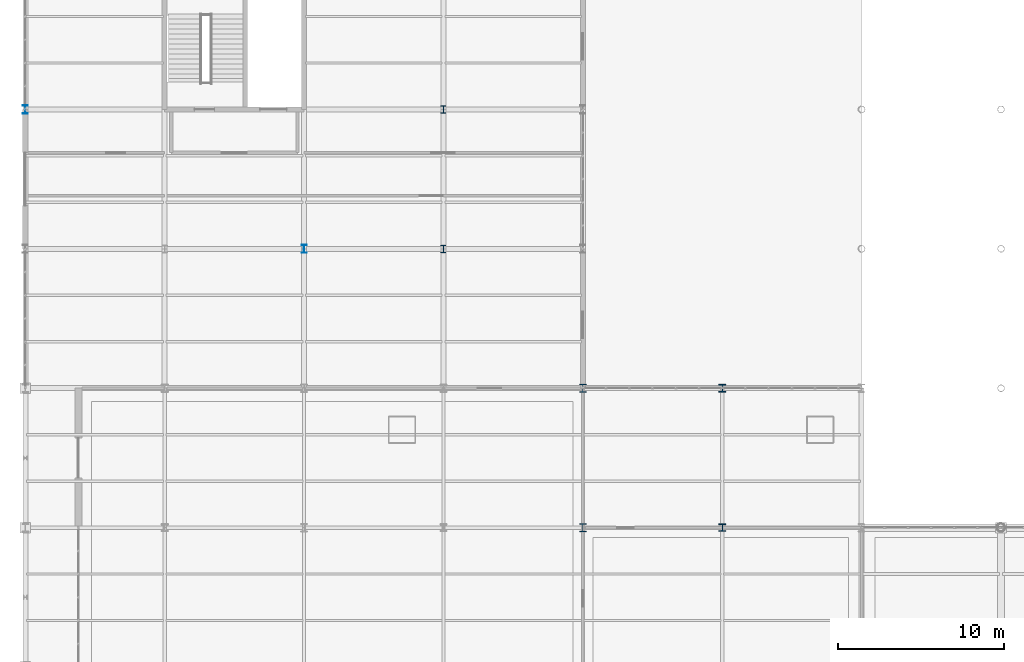
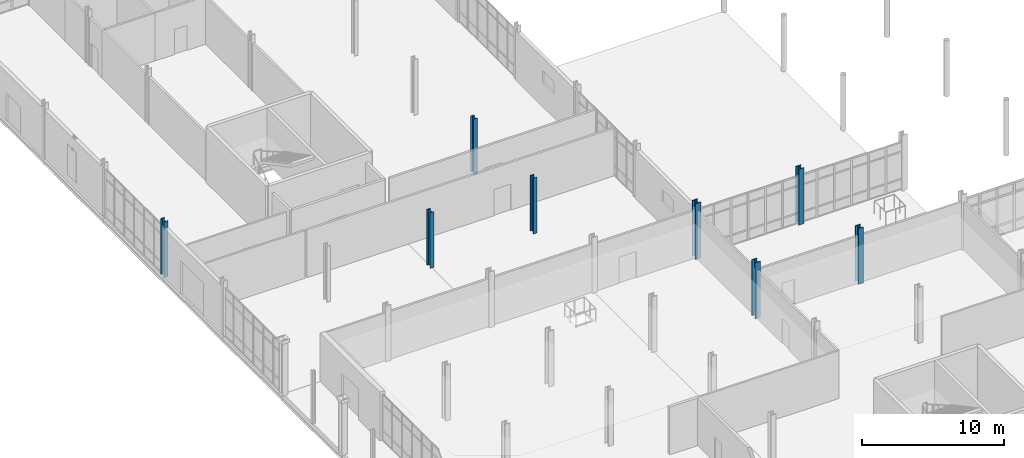
# One storey, part 5 of 145: 8 columns.
"""IFC4 building model written with IfcOpenShell, lengths in metres."""

import ifcopenshell
import ifcopenshell.guid

model = None  # the IFC model being written
_history = None  # IfcOwnerHistory: only IFC2X3 demands one
_inside = {}  # id of a spatial element -> (the spatial element, [elements in it])
_under = {}  # id of a project, library or spatial element -> (it, [spatial elements below it])
_declared = {}  # id of a project -> (the project, [libraries it declares])
_typed = {}  # id of a type object -> (the type object, [elements of that type])
_made_of = {}  # id of a material, layer set ... -> (it, [elements and type objects made of it])


def new_model(schema):
    """Start an empty IFC model of exactly this schema.

    Asked for "IFC4X3", IfcOpenShell would pick the latest addendum, in which some entities
    have other attributes; the version numbers below select the first issue.
    IFC2X3 requires an IfcOwnerHistory on every rooted entity: one is made here for all.
    """
    global model, _history
    if schema == "IFC4X3":
        model = ifcopenshell.file(schema_version=(4, 3, 0, 0))
    else:
        model = ifcopenshell.file(schema=schema)
    _inside.clear()
    _under.clear()
    _declared.clear()
    _typed.clear()
    _made_of.clear()
    _history = None
    if model.schema == "IFC2X3":
        org = make("IfcOrganization", Name="unknown")
        user = make(
            "IfcPersonAndOrganization",
            ThePerson=make("IfcPerson", FamilyName="unknown"),
            TheOrganization=org,
        )
        app = make(
            "IfcApplication",
            ApplicationDeveloper=org,
            Version="unknown",
            ApplicationFullName="unknown",
            ApplicationIdentifier="unknown",
        )
        _history = make(
            "IfcOwnerHistory",
            OwningUser=user,
            OwningApplication=app,
            ChangeAction="ADDED",
            CreationDate=0,
        )
    return model


def make(cls, **values):
    """One entity of the class cls with the attributes given. An attribute that is None is left unset."""
    return model.create_entity(
        cls, **{name: value for name, value in values.items() if value is not None}
    )


def rooted(cls, **values):
    """An entity with a GlobalId (a new one), such as an element, a storey or a relation."""
    return make(cls, GlobalId=ifcopenshell.guid.new(), OwnerHistory=_history, **values)


def si_unit(unit_type, name, prefix=None):
    """IfcSIUnit, for example si_unit("LENGTHUNIT", "METRE", prefix="MILLI")."""
    return make("IfcSIUnit", UnitType=unit_type, Prefix=prefix, Name=name)


def assignment(units):
    """IfcUnitAssignment: the units of a project."""
    return None if units is None else make("IfcUnitAssignment", Units=units)


def point(xyz):
    """IfcCartesianPoint."""
    return None if xyz is None else make("IfcCartesianPoint", Coordinates=xyz)


def direction(xyz):
    """IfcDirection."""
    return None if xyz is None else make("IfcDirection", DirectionRatios=xyz)


def frame(location, z_axis=None, x_axis=None):
    """IfcAxis2Placement3D, a coordinate frame: its origin and axes. An axis left out is left unset."""
    return make(
        "IfcAxis2Placement3D",
        Location=point(location),
        Axis=direction(z_axis),
        RefDirection=direction(x_axis),
    )


def frame_2d(location, x_axis=None):
    """IfcAxis2Placement2D, a coordinate frame in the plane: its origin and x axis."""
    return make(
        "IfcAxis2Placement2D", Location=point(location), RefDirection=direction(x_axis)
    )


def origin():
    """The frame at (0, 0, 0) with its axes left unset."""
    return frame((0.0, 0.0, 0.0))


def origin_2d():
    """The frame at (0, 0) in the plane with its x axis left unset."""
    return frame_2d((0.0, 0.0))


def place(relative_to, where):
    """IfcLocalPlacement: puts the frame where relative to a parent placement (None: the world)."""
    return make(
        "IfcLocalPlacement", PlacementRelTo=relative_to, RelativePlacement=where
    )


def context(
    kind, dimensions, precision=None, world=None, true_north=None, identifier=None
):
    """IfcGeometricRepresentationContext, for example the 3D "Model" context."""
    return make(
        "IfcGeometricRepresentationContext",
        ContextIdentifier=identifier,
        ContextType=kind,
        CoordinateSpaceDimension=dimensions,
        Precision=precision,
        WorldCoordinateSystem=world,
        TrueNorth=true_north,
    )


def subcontext(parent, identifier, kind, view, scale=None):
    """IfcGeometricRepresentationSubContext, for example "Body" below "Model"."""
    return make(
        "IfcGeometricRepresentationSubContext",
        ContextIdentifier=identifier,
        ContextType=kind,
        ParentContext=parent,
        TargetScale=scale,
        TargetView=view,
    )


def project(units=None, contexts=None):
    """IfcProject with its units and contexts."""
    return rooted(
        "IfcProject",
        Name="project",
        RepresentationContexts=contexts,
        UnitsInContext=assignment(units),
    )


def spatial(cls, under=None, at=None, **own):
    """A site, building, storey or space (cls), placed at a placement, below another one or the project."""
    s = rooted(cls, ObjectPlacement=at, **own)
    if under is not None:
        _under.setdefault(under.id(), (under, []))[1].append(s)
    return s


def profile(cls, at=None, kind="AREA", **sizes):
    """A parametric profile (cls). Its sizes go by their IFC names, for example OverallWidth=200.0."""
    return make(cls, ProfileType=kind, Position=at, **sizes)


def i_section(**sizes):
    """IfcIShapeProfileDef."""
    return profile("IfcIShapeProfileDef", **sizes)


def extrude(swept, where, along, depth):
    """IfcExtrudedAreaSolid: the profile swept, set in the frame where, extruded along a direction by depth."""
    return make(
        "IfcExtrudedAreaSolid",
        SweptArea=swept,
        Position=where,
        ExtrudedDirection=direction(along),
        Depth=depth,
    )


def shape(context_of_items, identifier, shape_type, items):
    """IfcShapeRepresentation: the items that make up one representation, for example the "Body"."""
    return make(
        "IfcShapeRepresentation",
        ContextOfItems=context_of_items,
        RepresentationIdentifier=identifier,
        RepresentationType=shape_type,
        Items=items,
    )


def material(Name=None, Category=None):
    """IfcMaterial."""
    return make("IfcMaterial", Name=Name, Category=Category)


def material_profile(
    of_material, cross_section, Name=None, Category=None, Priority=None
):
    """IfcMaterialProfile: a cross section and its material."""
    return make(
        "IfcMaterialProfile",
        Name=Name,
        Material=of_material,
        Profile=cross_section,
        Priority=Priority,
        Category=Category,
    )


def profile_set(profiles, Name=None, composite=None):
    """IfcMaterialProfileSet."""
    return make(
        "IfcMaterialProfileSet",
        Name=Name,
        MaterialProfiles=profiles,
        CompositeProfile=composite,
    )


def made_of(thing, what):
    """Note that an element or type object is made of a material, layer set ...; save() writes the relation."""
    if what is not None:
        _made_of.setdefault(what.id(), (what, []))[1].append(thing)
    return thing


def type_object(cls, material=None, **own):
    """A type object (cls), such as IfcWallType, which elements share."""
    return made_of(rooted(cls, **own), material)


def element(
    cls,
    number,
    at=None,
    inside=None,
    cuts=None,
    type_object=None,
    material=None,
    context=None,
    identifier="Body",
    shape_type=None,
    held_by="IfcProductDefinitionShape",
    body=None,
    shapes=None,
    **own,
):
    """One element of the class cls, such as IfcWall. Its Tag is "e" and its number.

    at: its placement. inside: the storey or other place that contains it. cuts: it is an
    opening in that element (IfcRelVoidsElement). A single representation is given by context,
    identifier, shape_type and body (its items); several are given by shapes. held_by: the class
    of the entity that holds the representations. save() writes the other relations.
    """
    e = rooted(cls, Tag="e%d" % number, ObjectPlacement=at, **own)
    if body is not None:
        shapes = [shape(context, identifier, shape_type, body)]
    if shapes is not None:
        e.Representation = make(held_by, Representations=shapes)
    if inside is not None:
        _inside.setdefault(inside.id(), (inside, []))[1].append(e)
    if cuts is not None:
        rooted(
            "IfcRelVoidsElement", RelatingBuildingElement=cuts, RelatedOpeningElement=e
        )
    if type_object is not None:
        _typed.setdefault(type_object.id(), (type_object, []))[1].append(e)
    return made_of(e, material)


def aggregate(whole, parts):
    """IfcRelAggregates: a whole, such as a stair, and the parts it consists of."""
    return rooted("IfcRelAggregates", RelatingObject=whole, RelatedObjects=parts)


def save(model, path):
    """Write the relations noted so far, then the file.

    IfcRelAggregates (storeys below a building ...), IfcRelContainedInSpatialStructure (elements
    in a storey), IfcRelDefinesByType, IfcRelAssociatesMaterial and IfcRelDeclares: one each for
    every whole, place, type object, material and project.
    """
    for whole, parts in _under.values():
        aggregate(whole, parts)
    for where, things in _inside.values():
        rooted(
            "IfcRelContainedInSpatialStructure",
            RelatedElements=things,
            RelatingStructure=where,
        )
    for kind, things in _typed.values():
        rooted("IfcRelDefinesByType", RelatedObjects=things, RelatingType=kind)
    for what, things in _made_of.values():
        rooted("IfcRelAssociatesMaterial", RelatedObjects=things, RelatingMaterial=what)
    for by, libraries in _declared.values():
        rooted("IfcRelDeclares", RelatingContext=by, RelatedDefinitions=libraries)
    model.write(path)


model = new_model("IFC4")

# Units and contexts
model_context = context("Model", 3, precision=1e-05, world=origin(), true_north=direction((0.0, 1.0)))
body_context = subcontext(model_context, "Body", "Model", "MODEL_VIEW")
ifc_project = project(units=[si_unit("LENGTHUNIT", "METRE"), si_unit("AREAUNIT", "SQUARE_METRE"), si_unit("VOLUMEUNIT", "CUBIC_METRE"), si_unit("PLANEANGLEUNIT", "RADIAN"), si_unit("MASSUNIT", "GRAM", prefix="KILO")], contexts=[model_context])

# Site, building, storey
site_placement = place(None, origin())
site = spatial("IfcSite", under=ifc_project, at=site_placement, CompositionType="ELEMENT")
building_placement = place(site_placement, origin())
building = spatial("IfcBuilding", under=site, at=building_placement, Name="Qalvenar Corner Mobility Hub", CompositionType="ELEMENT")
storey_placement = place(building_placement, origin())
storey = spatial("IfcBuildingStorey", under=building, at=storey_placement, Name="L00", CompositionType="ELEMENT", Elevation=0.0)

# Columns
ifc_material = material(Name="Steel S355", Category="steel")
ifc_material_profile_1 = material_profile(ifc_material, i_section(OverallWidth=0.412109375, OverallDepth=0.455078125, WebThickness=0.030517578125, FlangeThickness=0.049072265625, FilletRadius=0.014892578125, at=origin_2d()), Name="HD400x421")
ifc_profile_set_1 = profile_set([ifc_material_profile_1], Name="Steel S355")
column_type_1 = type_object("IfcColumnType", Name="COL-HD400X382", PredefinedType="COLUMN", material=ifc_profile_set_1)
for number, where, z_axis, x_axis, name in (
    (1, (42.0, 33.60009765625, 0.0), (0.0, 0.0, 1.0), (1.0, 0.0, 0.0), "Steel Column L00-G6-4"),
    (2, (42.0, 42.0, 0.0), (0.0, 0.0, 1.0), (1.0, 0.0, 0.0), "Steel Column L00-G6-5"),
):
    element("IfcColumn", number, at=place(storey_placement, frame(where, z_axis=z_axis, x_axis=x_axis)), inside=storey, type_object=column_type_1, Name=name, PredefinedType="COLUMN", context=body_context, shape_type="SweptSolid", body=[
        extrude(i_section(OverallWidth=0.412109375, OverallDepth=0.455078125, WebThickness=0.030517578125, FlangeThickness=0.049072265625, FilletRadius=0.014892578125, at=origin_2d()), origin(), (0.0, 0.0, 1.0), 4.800048828125),
    ])
ifc_material_profile_2 = material_profile(ifc_material, i_section(OverallWidth=0.419921875, OverallDepth=0.5048828125, WebThickness=0.03662109375, FlangeThickness=0.05908203125, FilletRadius=0.014892578125, at=origin_2d()), Name="HD400x551")
ifc_profile_set_2 = profile_set([ifc_material_profile_2], Name="Steel S355")
column_type_2 = type_object("IfcColumnType", Name="COL-HD400X463", PredefinedType="COLUMN", material=ifc_profile_set_2)
for number, where, z_axis, x_axis, name in (
    (3, (33.60009765625, 33.60009765625, 0.0), (0.0, 0.0, 1.0), (1.0, 0.0, 0.0), "Steel Column L00-G5-4"),
    (4, (33.60009765625, 42.0, 0.0), (0.0, 0.0, 1.0), (1.0, 0.0, 0.0), "Steel Column L00-G5-5"),
):
    element("IfcColumn", number, at=place(storey_placement, frame(where, z_axis=z_axis, x_axis=x_axis)), inside=storey, type_object=column_type_2, Name=name, PredefinedType="COLUMN", context=body_context, shape_type="SweptSolid", body=[
        extrude(i_section(OverallWidth=0.419921875, OverallDepth=0.5048828125, WebThickness=0.03662109375, FlangeThickness=0.05908203125, FilletRadius=0.014892578125, at=origin_2d()), origin(), (0.0, 0.0, 1.0), 4.800048828125),
    ])
ifc_material_profile_3 = material_profile(ifc_material, i_section(OverallWidth=0.300048828125, OverallDepth=0.449951171875, WebThickness=0.013916015625, FlangeThickness=0.02587890625, FilletRadius=0.027099609375, at=origin_2d()), Name="HEB450")
ifc_profile_set_3 = profile_set([ifc_material_profile_3], Name="Steel S355")
column_type_3 = type_object("IfcColumnType", Name="COL-HEB450", PredefinedType="COLUMN", material=ifc_profile_set_3)
for number, where, z_axis, x_axis, name in (
    (5, (25.199951171875, 50.39990234375, 0.0), (0.0, 0.0, 1.0), (1.0, 0.0, 0.0), "Steel Column L00-G4-6"),
    (6, (25.199951171875, 58.800048828125, 0.0), (0.0, 0.0, 1.0), (1.0, 0.0, 0.0), "Steel Column L00-G4-7"),
):
    element("IfcColumn", number, at=place(storey_placement, frame(where, z_axis=z_axis, x_axis=x_axis)), inside=storey, type_object=column_type_3, Name=name, PredefinedType="COLUMN", context=body_context, shape_type="SweptSolid", body=[
        extrude(i_section(OverallWidth=0.300048828125, OverallDepth=0.449951171875, WebThickness=0.013916015625, FlangeThickness=0.02587890625, FilletRadius=0.027099609375, at=origin_2d()), origin(), (0.0, 0.0, 1.0), 4.800048828125),
    ])
ifc_material_profile_4 = material_profile(ifc_material, i_section(OverallWidth=0.300048828125, OverallDepth=0.5, WebThickness=0.014404296875, FlangeThickness=0.028076171875, FilletRadius=0.027099609375, at=origin_2d()), Name="HEB500")
ifc_profile_set_4 = profile_set([ifc_material_profile_4], Name="Steel S355")
column_type_4 = type_object("IfcColumnType", Name="COL-HEB500", PredefinedType="COLUMN", material=ifc_profile_set_4)
for number, where, z_axis, x_axis, name in (
    (7, (0.0, 58.800048828125, 0.0), (0.0, 0.0, 1.0), (1.0, 0.0, 0.0), "Steel Column L00-G1-7"),
    (8, (16.800048828125, 50.39990234375, 0.0), (0.0, 0.0, 1.0), (1.0, 0.0, 0.0), "Steel Column L00-G3-6"),
):
    element("IfcColumn", number, at=place(storey_placement, frame(where, z_axis=z_axis, x_axis=x_axis)), inside=storey, type_object=column_type_4, Name=name, PredefinedType="COLUMN", context=body_context, shape_type="SweptSolid", body=[
        extrude(i_section(OverallWidth=0.300048828125, OverallDepth=0.5, WebThickness=0.014404296875, FlangeThickness=0.028076171875, FilletRadius=0.027099609375, at=origin_2d()), origin(), (0.0, 0.0, 1.0), 4.800048828125),
    ])

save(model, "model.ifc")
